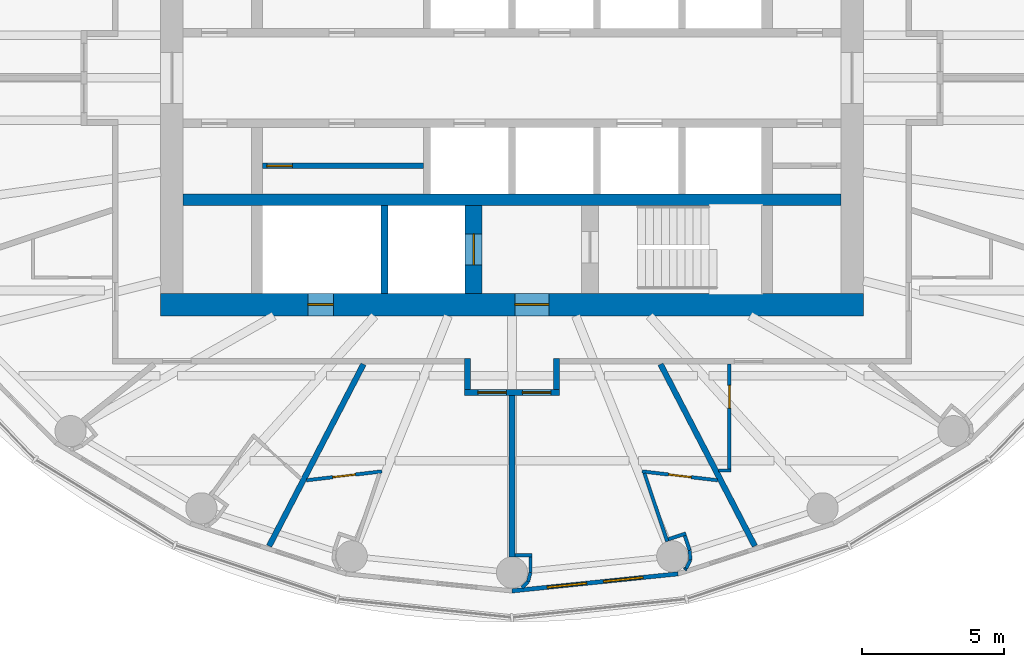
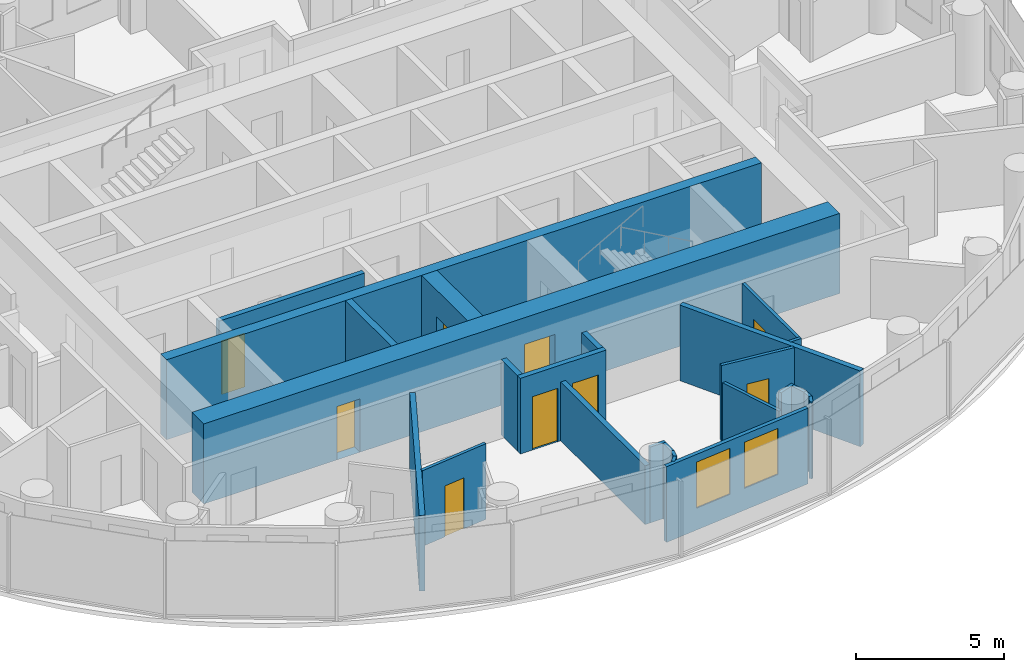
# One storey, part 7 of 16: 26 walls, 9 doors, 2 windows, 11 openings.
"""IFC4 building model written with IfcOpenShell, lengths in metres."""

from ifc_helpers import new_model, si_unit, direction, frame, frame_2d, origin, place, context, subcontext, project, spatial, rectangle, extrude, material, layer, layer_set, type_object, element, fill, save


model = new_model("IFC4")

# Units and contexts
model_context = context("Model", 3, precision=1e-05, world=origin(), true_north=direction((0.0, 1.0)))
body_context = subcontext(model_context, "Body", "Model", "MODEL_VIEW")
ifc_project = project(units=[si_unit("LENGTHUNIT", "METRE"), si_unit("AREAUNIT", "SQUARE_METRE"), si_unit("VOLUMEUNIT", "CUBIC_METRE"), si_unit("PLANEANGLEUNIT", "RADIAN"), si_unit("MASSUNIT", "GRAM", prefix="KILO")], contexts=[model_context])

# Site, building, storey
site_placement = place(None, origin())
site = spatial("IfcSite", under=ifc_project, at=site_placement, CompositionType="ELEMENT")
building_placement = place(site_placement, origin())
building = spatial("IfcBuilding", under=site, at=building_placement, Name="Hankou Lantern Tower", CompositionType="ELEMENT")
storey_placement = place(building_placement, frame((0.0, 0.0, 146.699951171875)))
storey = spatial("IfcBuildingStorey", under=building, at=storey_placement, Name="L38", CompositionType="ELEMENT", Elevation=146.699951171875)

# Wall, openings, doors
ifc_material_1 = material(Name="Concrete C60", Category="concrete")
ifc_layer_1 = layer(ifc_material_1, 0.800048828125)
ifc_layer_set_1 = layer_set([ifc_layer_1], Name="Concrete C60")
wall_type_1 = type_object("IfcWallType", Name="CW2 CORE WALL 800", PredefinedType="SHEAR", material=ifc_layer_set_1)
wall_1_placement = place(storey_placement, frame((12.39990234375, -8.0, 0.0), z_axis=(0.0, 0.0, 1.0), x_axis=(-1.0, 0.0, 0.0)))
wall_1 = element("IfcWall", 1, at=wall_1_placement, inside=storey, type_object=wall_type_1, Name="Core wall south L38", PredefinedType="SHEAR", context=body_context, shape_type="SweptSolid", body=[
    extrude(rectangle(XDim=24.7998046875, YDim=0.800048828125, at=frame_2d((12.39990234375, 0.0))), origin(), (0.0, 0.0, 1.0), 3.300048828125),
])
opening_1_placement = place(wall_1_placement, frame((11.10009765625, 0.0, 0.0)))
opening_1 = element("IfcOpeningElement", 2, at=opening_1_placement, cuts=wall_1, Name="Opening D5", PredefinedType="OPENING", context=body_context, shape_type="SweptSolid", body=[
    extrude(rectangle(XDim=1.199951171875, YDim=2.199951171875, at=frame_2d((0.60009765625, 1.10009765625))), frame((0.0, 0.409912109375, 0.0), z_axis=(0.0, -1.0, 0.0), x_axis=(1.0, 0.0, 0.0)), (0.0, 0.0, 1.0), 0.820068359375),
])
opening_2_placement = place(wall_1_placement, frame((18.699951171875, 0.0, 0.0)))
opening_2 = element("IfcOpeningElement", 3, at=opening_2_placement, cuts=wall_1, Name="Opening D7", PredefinedType="OPENING", context=body_context, shape_type="SweptSolid", body=[
    extrude(rectangle(XDim=0.89990234375, YDim=2.199951171875, at=frame_2d((0.449951171875, 1.10009765625))), frame((0.0, 0.409912109375, 0.0), z_axis=(0.0, -1.0, 0.0), x_axis=(1.0, 0.0, 0.0)), (0.0, 0.0, 1.0), 0.820068359375),
])
ifc_material_2 = material(Name="Steel door leaf", Category="steel")
door_type_1 = type_object("IfcDoorType", Name="D5 STAIR LOBBY DOOR 1200X2200", OperationType="SINGLE_SWING_LEFT", PredefinedType="DOOR", material=ifc_material_2)
door_1_placement = place(opening_1_placement, origin())
door_1 = element("IfcDoor", 4, at=door_1_placement, inside=storey, type_object=door_type_1, Name="Stair B lobby door", OperationType="SINGLE_SWING_LEFT", OverallHeight=2.199951171875, OverallWidth=1.199951171875, PredefinedType="DOOR", context=body_context, shape_type="SweptSolid", body=[
    extrude(rectangle(XDim=1.199951171875, YDim=2.199951171875, at=frame_2d((0.60009765625, 1.10009765625))), frame((0.0, 0.02490234375, 0.0), z_axis=(0.0, -1.0, 0.0), x_axis=(1.0, 0.0, 0.0)), (0.0, 0.0, 1.0), 0.050048828125),
])
fill(opening_1, door_1)
ifc_material_3 = material(Name="Steel door leaf", Category="steel")
door_type_2 = type_object("IfcDoorType", Name="D7 RISER DOOR 900X2200", OperationType="SINGLE_SWING_LEFT", PredefinedType="DOOR", material=ifc_material_3)
door_2_placement = place(opening_2_placement, origin())
door_2 = element("IfcDoor", 5, at=door_2_placement, inside=storey, type_object=door_type_2, Name="Riser S1 door", OperationType="SINGLE_SWING_RIGHT", OverallHeight=2.199951171875, OverallWidth=0.89990234375, PredefinedType="DOOR", context=body_context, shape_type="SweptSolid", body=[
    extrude(rectangle(XDim=0.89990234375, YDim=2.199951171875, at=frame_2d((0.449951171875, 1.10009765625))), frame((0.0, 0.02490234375, 0.0), z_axis=(0.0, -1.0, 0.0), x_axis=(1.0, 0.0, 0.0)), (0.0, 0.0, 1.0), 0.050048828125),
])
fill(opening_2, door_2)

# Wall
ifc_material_4 = material(Name="Concrete C60", Category="concrete")
ifc_layer_2 = layer(ifc_material_4, 0.39990234375)
ifc_layer_set_2 = layer_set([ifc_layer_2], Name="Concrete C60")
wall_type_2 = type_object("IfcWallType", Name="CW4 CORE CROSS WALL 400", PredefinedType="SHEAR", material=ifc_layer_set_2)
wall_2_placement = place(storey_placement, frame((-11.60009765625, -4.300048828125, 0.0), z_axis=(0.0, 0.0, 1.0), x_axis=(1.0, 0.0, 0.0)))
element("IfcWall", 6, at=wall_2_placement, inside=storey, type_object=wall_type_2, Name="Core band wall south L38", PredefinedType="SHEAR", context=body_context, shape_type="SweptSolid", body=[
    extrude(rectangle(XDim=23.2001953125, YDim=0.39990234375, at=frame_2d((11.60009765625, 0.0))), origin(), (0.0, 0.0, 1.0), 3.300048828125),
])

# Wall, opening, door
ifc_material_5 = material(Name="Concrete C60", Category="concrete")
ifc_layer_3 = layer(ifc_material_5, 0.60009765625)
ifc_layer_set_3 = layer_set([ifc_layer_3], Name="Concrete C60")
wall_type_3 = type_object("IfcWallType", Name="CW6 STAIR AND SHAFT WALL 600", PredefinedType="SHEAR", material=ifc_layer_set_3)
wall_3_placement = place(storey_placement, frame((-1.35009765625, -7.60009765625, 0.0), z_axis=(0.0, 0.0, 1.0), x_axis=(0.0, 1.0, 0.0)))
wall_3 = element("IfcWall", 7, at=wall_3_placement, inside=storey, type_object=wall_type_3, Name="Firefighting lift shaft wall L38", PredefinedType="SHEAR", context=body_context, shape_type="SweptSolid", body=[
    extrude(rectangle(XDim=3.10009765625, YDim=0.60009765625, at=frame_2d((1.550048828125, 0.0))), origin(), (0.0, 0.0, 1.0), 3.300048828125),
])
opening_3_placement = place(wall_3_placement, frame((1.0, 0.0, 0.0)))
opening_3 = element("IfcOpeningElement", 8, at=opening_3_placement, cuts=wall_3, Name="Opening LD2", PredefinedType="OPENING", context=body_context, shape_type="SweptSolid", body=[
    extrude(rectangle(XDim=1.10009765625, YDim=2.199951171875, at=frame_2d((0.550048828125, 1.10009765625))), frame((0.0, 0.31005859375, 0.0), z_axis=(0.0, -1.0, 0.0), x_axis=(1.0, 0.0, 0.0)), (0.0, 0.0, 1.0), 0.6201171875),
])
ifc_material_6 = material(Name="Steel door leaf", Category="steel")
door_type_3 = type_object("IfcDoorType", Name="LD2 FIREFIGHTING LIFT LANDING DOOR 1100X2200", OperationType="DOUBLE_DOOR_SLIDING", PredefinedType="DOOR", material=ifc_material_6)
door_3_placement = place(opening_3_placement, origin())
door_3 = element("IfcDoor", 9, at=door_3_placement, inside=storey, type_object=door_type_3, Name="Firefighting lift FL2 landing door", OperationType="DOUBLE_DOOR_SLIDING", OverallHeight=2.199951171875, OverallWidth=1.10009765625, PredefinedType="DOOR", context=body_context, shape_type="SweptSolid", body=[
    extrude(rectangle(XDim=1.10009765625, YDim=2.199951171875, at=frame_2d((0.550048828125, 1.10009765625))), frame((0.0, 0.02490234375, 0.0), z_axis=(0.0, -1.0, 0.0), x_axis=(1.0, 0.0, 0.0)), (0.0, 0.0, 1.0), 0.050048828125),
])
fill(opening_3, door_3)

# Wall, openings, windows
ifc_material_7 = material(Name="Aluminium spandrel panel on steel studs", Category="steel")
ifc_layer_4 = layer(ifc_material_7, 0.14990234375)
ifc_layer_set_4 = layer_set([ifc_layer_4], Name="Aluminium spandrel panel on steel studs")
wall_type_4 = type_object("IfcWallType", Name="EW1 INNER SKIN WALL 150", PredefinedType="ELEMENTEDWALL", material=ifc_layer_set_4)
wall_4_placement = place(storey_placement, frame((0.0, -18.10009765625, 0.0), z_axis=(0.0, 0.0, 1.0), x_axis=(0.994751738032, 0.102318032045, 0.0)))
wall_4 = element("IfcWall", 10, at=wall_4_placement, inside=storey, type_object=wall_type_4, Name="Inner skin R19-R20 L38", PredefinedType="ELEMENTEDWALL", context=body_context, shape_type="SweptSolid", body=[
    extrude(rectangle(XDim=5.891357421875, YDim=0.14990234375, at=frame_2d((2.94580078125, 0.0))), origin(), (0.0, 0.0, 1.0), 3.1201171875),
])
opening_4_placement = place(wall_4_placement, frame((1.24560546875, 0.0, 0.89990234375)))
opening_4 = element("IfcOpeningElement", 11, at=opening_4_placement, cuts=wall_4, Name="Opening W3", PredefinedType="OPENING", context=body_context, shape_type="SweptSolid", body=[
    extrude(rectangle(XDim=1.39990234375, YDim=1.89990234375, at=frame_2d((0.699951171875, 0.949951171875))), frame((0.0, 0.0849609375, 0.0), z_axis=(0.0, -1.0, 0.0), x_axis=(1.0, 0.0, 0.0)), (0.0, 0.0, 1.0), 0.169921875),
])
opening_5_placement = place(wall_4_placement, frame((3.24560546875, 0.0, 0.89990234375)))
opening_5 = element("IfcOpeningElement", 12, at=opening_5_placement, cuts=wall_4, Name="Opening W3", PredefinedType="OPENING", context=body_context, shape_type="SweptSolid", body=[
    extrude(rectangle(XDim=1.39990234375, YDim=1.89990234375, at=frame_2d((0.699951171875, 0.949951171875))), frame((0.0, 0.0849609375, 0.0), z_axis=(0.0, -1.0, 0.0), x_axis=(1.0, 0.0, 0.0)), (0.0, 0.0, 1.0), 0.169921875),
])
ifc_material_8 = material(Name="Aluminium framed double glazed window", Category="aluminium")
window_type = type_object("IfcWindowType", Name="W3 GUEST ROOM WINDOW 1400X1900", PartitioningType="DOUBLE_PANEL_VERTICAL", PredefinedType="WINDOW", material=ifc_material_8)
window_1_placement = place(opening_4_placement, origin())
window_1 = element("IfcWindow", 13, at=window_1_placement, inside=storey, type_object=window_type, Name="Window R19.1 L38", OverallHeight=1.89990234375, OverallWidth=1.39990234375, PartitioningType="SINGLE_PANEL", PredefinedType="WINDOW", context=body_context, shape_type="SweptSolid", body=[
    extrude(rectangle(XDim=1.39990234375, YDim=1.89990234375, at=frame_2d((0.699951171875, 0.949951171875))), frame((0.0, 0.030029296875, 0.0), z_axis=(0.0, -1.0, 0.0), x_axis=(1.0, 0.0, 0.0)), (0.0, 0.0, 1.0), 0.06005859375),
])
fill(opening_4, window_1)
window_2_placement = place(opening_5_placement, origin())
window_2 = element("IfcWindow", 14, at=window_2_placement, inside=storey, type_object=window_type, Name="Window R19.2 L38", OverallHeight=1.89990234375, OverallWidth=1.39990234375, PartitioningType="SINGLE_PANEL", PredefinedType="WINDOW", context=body_context, shape_type="SweptSolid", body=[
    extrude(rectangle(XDim=1.39990234375, YDim=1.89990234375, at=frame_2d((0.699951171875, 0.949951171875))), frame((0.0, 0.030029296875, 0.0), z_axis=(0.0, -1.0, 0.0), x_axis=(1.0, 0.0, 0.0)), (0.0, 0.0, 1.0), 0.06005859375),
])
fill(opening_5, window_2)

# Walls
ifc_material_9 = material(Name="Masonry lightweight concrete block", Category="masonry")
ifc_layer_5 = layer(ifc_material_9, 0.199951171875)
ifc_layer_set_5 = layer_set([ifc_layer_5], Name="Masonry lightweight concrete block")
wall_type_5 = type_object("IfcWallType", Name="IW1 GUEST ROOM PARTY WALL 200", PredefinedType="PARTITIONING", material=ifc_layer_set_5)
wall_5_placement = place(storey_placement, frame((-5.239990234375, -10.10009765625, 0.0), z_axis=(0.0, 0.0, 1.0), x_axis=(-0.460532965373, -0.887642601391, 0.0)))
element("IfcWall", 15, at=wall_5_placement, inside=storey, type_object=wall_type_5, Name="Party wall R17-R18", PredefinedType="PARTITIONING", context=body_context, shape_type="SweptSolid", body=[
    extrude(rectangle(XDim=7.2314453125, YDim=0.199951171875, at=frame_2d((3.61572265625, 0.0))), origin(), (0.0, 0.0, 1.0), 3.1201171875),
])
wall_6_placement = place(storey_placement, frame((0.0, -11.199951171875, 0.0), z_axis=(0.0, 0.0, 1.0), x_axis=(0.0, -1.0, 0.0)))
element("IfcWall", 16, at=wall_6_placement, inside=storey, type_object=wall_type_5, Name="Party wall R19", PredefinedType="PARTITIONING", context=body_context, shape_type="SweptSolid", body=[
    extrude(rectangle(XDim=5.699951171875, YDim=0.199951171875, at=frame_2d((2.85009765625, 0.0))), origin(), (0.0, 0.0, 1.0), 2.420166015625),
])
wall_7_placement = place(storey_placement, frame((5.239990234375, -10.10009765625, 0.0), z_axis=(0.0, 0.0, 1.0), x_axis=(0.460532965373, -0.887642601391, 0.0)))
element("IfcWall", 17, at=wall_7_placement, inside=storey, type_object=wall_type_5, Name="Party wall R20-R21", PredefinedType="PARTITIONING", context=body_context, shape_type="SweptSolid", body=[
    extrude(rectangle(XDim=7.2314453125, YDim=0.199951171875, at=frame_2d((3.61572265625, 0.0))), origin(), (0.0, 0.0, 1.0), 3.1201171875),
])

# Wall, openings, doors
ifc_material_10 = material(Name="Masonry lightweight concrete block", Category="masonry")
ifc_layer_6 = layer(ifc_material_10, 0.199951171875)
ifc_layer_set_6 = layer_set([ifc_layer_6], Name="Masonry lightweight concrete block")
wall_type_6 = type_object("IfcWallType", Name="IW2 CORRIDOR WALL 200", PredefinedType="PARTITIONING", material=ifc_layer_set_6)
wall_8_placement = place(storey_placement, frame((1.669921875, -11.10009765625, 0.0), z_axis=(0.0, 0.0, 1.0), x_axis=(-1.0, 0.0, 0.0)))
wall_8 = element("IfcWall", 18, at=wall_8_placement, inside=storey, type_object=wall_type_6, Name="Corridor alcove wall 3811-3812 back", PredefinedType="PARTITIONING", context=body_context, shape_type="SweptSolid", body=[
    extrude(rectangle(XDim=3.33984375, YDim=0.199951171875, at=frame_2d((1.669921875, 0.0))), origin(), (0.0, 0.0, 1.0), 3.1201171875),
])
opening_6_placement = place(wall_8_placement, frame((1.8701171875, 0.0, 0.0)))
opening_6 = element("IfcOpeningElement", 19, at=opening_6_placement, cuts=wall_8, Name="Opening D1", PredefinedType="OPENING", context=body_context, shape_type="SweptSolid", body=[
    extrude(rectangle(XDim=1.0, YDim=2.199951171875, at=frame_2d((0.5, 1.10009765625))), frame((0.0, 0.10986328125, 0.0), z_axis=(0.0, -1.0, 0.0), x_axis=(1.0, 0.0, 0.0)), (0.0, 0.0, 1.0), 0.219970703125),
])
opening_7_placement = place(wall_8_placement, frame((0.300048828125, 0.0, 0.0)))
opening_7 = element("IfcOpeningElement", 20, at=opening_7_placement, cuts=wall_8, Name="Opening D1", PredefinedType="OPENING", context=body_context, shape_type="SweptSolid", body=[
    extrude(rectangle(XDim=1.0, YDim=2.199951171875, at=frame_2d((0.5, 1.10009765625))), frame((0.0, 0.10986328125, 0.0), z_axis=(0.0, -1.0, 0.0), x_axis=(1.0, 0.0, 0.0)), (0.0, 0.0, 1.0), 0.219970703125),
])
ifc_material_11 = material(Name="Steel door leaf", Category="steel")
door_type_4 = type_object("IfcDoorType", Name="D1 GUEST ROOM DOOR 1000X2200", OperationType="SINGLE_SWING_LEFT", PredefinedType="DOOR", material=ifc_material_11)
door_4_placement = place(opening_6_placement, origin())
door_4 = element("IfcDoor", 21, at=door_4_placement, inside=storey, type_object=door_type_4, Name="Guest room door 3811", OperationType="SINGLE_SWING_LEFT", OverallHeight=2.199951171875, OverallWidth=1.0, PredefinedType="DOOR", context=body_context, shape_type="SweptSolid", body=[
    extrude(rectangle(XDim=1.0, YDim=2.199951171875, at=frame_2d((0.5, 1.10009765625))), frame((0.0, 0.02490234375, 0.0), z_axis=(0.0, -1.0, 0.0), x_axis=(1.0, 0.0, 0.0)), (0.0, 0.0, 1.0), 0.050048828125),
])
fill(opening_6, door_4)
door_5_placement = place(opening_7_placement, origin())
door_5 = element("IfcDoor", 22, at=door_5_placement, inside=storey, type_object=door_type_4, Name="Guest room door 3812", OperationType="SINGLE_SWING_RIGHT", OverallHeight=2.199951171875, OverallWidth=1.0, PredefinedType="DOOR", context=body_context, shape_type="SweptSolid", body=[
    extrude(rectangle(XDim=1.0, YDim=2.199951171875, at=frame_2d((0.5, 1.10009765625))), frame((0.0, 0.02490234375, 0.0), z_axis=(0.0, -1.0, 0.0), x_axis=(1.0, 0.0, 0.0)), (0.0, 0.0, 1.0), 0.050048828125),
])
fill(opening_7, door_5)

# Walls
for number, where, z_axis, x_axis, name in (
    (23, (1.570068359375, -9.89990234375, 0.0), (0.0, 0.0, 1.0), (0.0, -1.0, 0.0), "Corridor alcove wall 3811-3812 left"),
    (24, (-1.570068359375, -9.89990234375, 0.0), (0.0, 0.0, 1.0), (0.0, -1.0, 0.0), "Corridor alcove wall 3811-3812 right"),
):
    element("IfcWall", number, at=place(storey_placement, frame(where, z_axis=z_axis, x_axis=x_axis)), inside=storey, type_object=wall_type_6, Name=name, PredefinedType="PARTITIONING", context=body_context, shape_type="SweptSolid", body=[
        extrude(rectangle(XDim=1.10009765625, YDim=0.199951171875, at=frame_2d((0.550048828125, 0.0))), origin(), (0.0, 0.0, 1.0), 3.1201171875),
    ])

# Wall, opening, door
ifc_material_12 = material(Name="Masonry lightweight concrete block", Category="masonry")
ifc_layer_7 = layer(ifc_material_12, 0.1201171875)
ifc_layer_set_7 = layer_set([ifc_layer_7], Name="Masonry lightweight concrete block")
wall_type_7 = type_object("IfcWallType", Name="IW3 BATHROOM WALL 120", PredefinedType="PARTITIONING", material=ifc_layer_set_7)
wall_9_placement = place(storey_placement, frame((-7.2529296875, -14.197021484375, 0.0), z_axis=(0.0, 0.0, 1.0), x_axis=(0.993128188393, 0.117031625725, 0.0)))
wall_9 = element("IfcWall", 25, at=wall_9_placement, inside=storey, type_object=wall_type_7, Name="Box wall 3811 1", PredefinedType="PARTITIONING", context=body_context, shape_type="SweptSolid", body=[
    extrude(rectangle(XDim=2.678466796875, YDim=0.1201171875, at=frame_2d((1.33935546875, 0.0))), origin(), (0.0, 0.0, 1.0), 3.1201171875),
])
opening_8_placement = place(wall_9_placement, frame((0.939208984375, 0.0, 0.0)))
opening_8 = element("IfcOpeningElement", 26, at=opening_8_placement, cuts=wall_9, Name="Opening D3", PredefinedType="OPENING", context=body_context, shape_type="SweptSolid", body=[
    extrude(rectangle(XDim=0.800048828125, YDim=2.10009765625, at=frame_2d((0.39990234375, 1.050048828125))), frame((0.0, 0.070068359375, 0.0), z_axis=(0.0, -1.0, 0.0), x_axis=(1.0, 0.0, 0.0)), (0.0, 0.0, 1.0), 0.14013671875),
])
ifc_material_13 = material(Name="Timber door leaf", Category="wood")
door_type_5 = type_object("IfcDoorType", Name="D3 BATHROOM DOOR 800X2100", OperationType="SINGLE_SWING_LEFT", PredefinedType="DOOR", material=ifc_material_13)
door_6_placement = place(opening_8_placement, origin())
door_6 = element("IfcDoor", 27, at=door_6_placement, inside=storey, type_object=door_type_5, Name="En-suite bathroom 3811 door", OperationType="SINGLE_SWING_LEFT", OverallHeight=2.10009765625, OverallWidth=0.800048828125, PredefinedType="DOOR", context=body_context, shape_type="SweptSolid", body=[
    extrude(rectangle(XDim=0.800048828125, YDim=2.10009765625, at=frame_2d((0.39990234375, 1.050048828125))), frame((0.0, 0.02490234375, 0.0), z_axis=(0.0, -1.0, 0.0), x_axis=(1.0, 0.0, 0.0)), (0.0, 0.0, 1.0), 0.050048828125),
])
fill(opening_8, door_6)

wall_10_placement = place(storey_placement, frame((7.2529296875, -14.197021484375, 0.0), z_axis=(0.0, 0.0, 1.0), x_axis=(-0.993128188393, 0.117031625725, 0.0)))
wall_10 = element("IfcWall", 28, at=wall_10_placement, inside=storey, type_object=wall_type_7, Name="Box wall 3812 1", PredefinedType="PARTITIONING", context=body_context, shape_type="SweptSolid", body=[
    extrude(rectangle(XDim=2.678466796875, YDim=0.1201171875, at=frame_2d((1.33935546875, 0.0))), origin(), (0.0, 0.0, 1.0), 3.1201171875),
])
opening_9_placement = place(wall_10_placement, frame((0.939208984375, 0.0, 0.0)))
opening_9 = element("IfcOpeningElement", 29, at=opening_9_placement, cuts=wall_10, Name="Opening D3", PredefinedType="OPENING", context=body_context, shape_type="SweptSolid", body=[
    extrude(rectangle(XDim=0.800048828125, YDim=2.10009765625, at=frame_2d((0.39990234375, 1.050048828125))), frame((0.0, 0.070068359375, 0.0), z_axis=(0.0, -1.0, 0.0), x_axis=(1.0, 0.0, 0.0)), (0.0, 0.0, 1.0), 0.14013671875),
])
door_7_placement = place(opening_9_placement, origin())
door_7 = element("IfcDoor", 30, at=door_7_placement, inside=storey, type_object=door_type_5, Name="En-suite bathroom 3812 door", OperationType="SINGLE_SWING_RIGHT", OverallHeight=2.10009765625, OverallWidth=0.800048828125, PredefinedType="DOOR", context=body_context, shape_type="SweptSolid", body=[
    extrude(rectangle(XDim=0.800048828125, YDim=2.10009765625, at=frame_2d((0.39990234375, 1.050048828125))), frame((0.0, 0.02490234375, 0.0), z_axis=(0.0, -1.0, 0.0), x_axis=(1.0, 0.0, 0.0)), (0.0, 0.0, 1.0), 0.050048828125),
])
fill(opening_9, door_7)

# Walls
wall_11_placement = place(storey_placement, frame((4.67138671875, -13.947509765625, 0.0), z_axis=(0.0, 0.0, 1.0), x_axis=(0.317669167093, -0.948201613729, 0.0)))
element("IfcWall", 31, at=wall_11_placement, inside=storey, type_object=wall_type_7, Name="Box wall 3812 2", PredefinedType="PARTITIONING", context=body_context, shape_type="SweptSolid", body=[
    extrude(rectangle(XDim=2.5400390625, YDim=0.1201171875, at=frame_2d((1.27001953125, 0.0))), origin(), (0.0, 0.0, 1.0), 2.420166015625),
])
wall_12_placement = place(storey_placement, frame((5.51611328125, -16.280029296875, 0.0), z_axis=(0.0, 0.0, 1.0), x_axis=(0.948157944392, 0.317799484717, 0.0)))
element("IfcWall", 32, at=wall_12_placement, inside=storey, type_object=wall_type_7, Name="Column casing 3812 return", PredefinedType="PARTITIONING", context=body_context, shape_type="SweptSolid", body=[
    extrude(rectangle(XDim=0.652099609375, YDim=0.1201171875, at=frame_2d((0.326171875, 0.0))), origin(), (0.0, 0.0, 1.0), 3.1201171875),
])
wall_13_placement = place(storey_placement, frame((6.0966796875, -16.148681640625, 0.0), z_axis=(0.0, 0.0, 1.0), x_axis=(0.317292604854, -0.948327687514, 0.0)))
element("IfcWall", 33, at=wall_13_placement, inside=storey, type_object=wall_type_7, Name="Column casing 3812", PredefinedType="PARTITIONING", context=body_context, shape_type="SweptSolid", body=[
    extrude(rectangle(XDim=0.550048828125, YDim=0.1201171875, at=frame_2d((0.27490234375, 0.0))), origin(), (0.0, 0.0, 1.0), 3.1201171875),
])
for number, where, z_axis, x_axis, name in (
    (34, (6.271240234375, -16.67041015625, 0.0), (0.0, 0.0, 1.0), (0.061477694849, -0.998108457552, 0.0), "Column casing 3812"),
    (35, (6.2919921875, -17.00732421875, 0.0), (0.0, 0.0, 1.0), (-0.445477128334, -0.895293319606, 0.0), "Column casing 3812"),
):
    element("IfcWall", number, at=place(storey_placement, frame(where, z_axis=z_axis, x_axis=x_axis)), inside=storey, type_object=wall_type_7, Name=name, PredefinedType="PARTITIONING", context=body_context, shape_type="SweptSolid", body=[
        extrude(rectangle(XDim=0.337646484375, YDim=0.1201171875, at=frame_2d((0.1689453125, 0.0))), origin(), (0.0, 0.0, 1.0), 3.1201171875),
    ])
wall_14_placement = place(storey_placement, frame((6.1416015625, -17.3095703125, 0.0), z_axis=(0.0, 0.0, 1.0), x_axis=(-0.835039693181, -0.550189704386, 0.0)))
element("IfcWall", 36, at=wall_14_placement, inside=storey, type_object=wall_type_7, Name="Column casing 3812", PredefinedType="PARTITIONING", context=body_context, shape_type="SweptSolid", body=[
    extrude(rectangle(XDim=0.0625, YDim=0.1201171875, at=frame_2d((0.03125, 0.0))), origin(), (0.0, 0.0, 1.0), 3.1201171875),
])
wall_15_placement = place(storey_placement, frame((7.28564453125, -13.85009765625, 0.0), z_axis=(0.0, 0.0, 1.0), x_axis=(1.0, 0.0, 0.0)))
element("IfcWall", 37, at=wall_15_placement, inside=storey, type_object=wall_type_7, Name="Box wall 3813 1", PredefinedType="PARTITIONING", context=body_context, shape_type="SweptSolid", body=[
    extrude(rectangle(XDim=0.4443359375, YDim=0.1201171875, at=frame_2d((0.22216796875, 0.0))), origin(), (0.0, 0.0, 1.0), 3.1201171875),
])

# Wall, opening, door
wall_16_placement = place(storey_placement, frame((7.670166015625, -10.10009765625, 0.0), z_axis=(0.0, 0.0, 1.0), x_axis=(0.0, -1.0, 0.0)))
wall_16 = element("IfcWall", 38, at=wall_16_placement, inside=storey, type_object=wall_type_7, Name="Box wall 3813 1", PredefinedType="PARTITIONING", context=body_context, shape_type="SweptSolid", body=[
    extrude(rectangle(XDim=3.68994140625, YDim=0.1201171875, at=frame_2d((1.844970703125, 0.0))), origin(), (0.0, 0.0, 1.0), 3.1201171875),
])
opening_10_placement = place(wall_16_placement, frame((0.75, 0.0, 0.0)))
opening_10 = element("IfcOpeningElement", 39, at=opening_10_placement, cuts=wall_16, Name="Opening D3", PredefinedType="OPENING", context=body_context, shape_type="SweptSolid", body=[
    extrude(rectangle(XDim=0.800048828125, YDim=2.10009765625, at=frame_2d((0.39990234375, 1.050048828125))), frame((0.0, 0.070068359375, 0.0), z_axis=(0.0, -1.0, 0.0), x_axis=(1.0, 0.0, 0.0)), (0.0, 0.0, 1.0), 0.14013671875),
])
door_8_placement = place(opening_10_placement, origin())
door_8 = element("IfcDoor", 40, at=door_8_placement, inside=storey, type_object=door_type_5, Name="En-suite bathroom 3813 door", OperationType="SINGLE_SWING_LEFT", OverallHeight=2.10009765625, OverallWidth=0.800048828125, PredefinedType="DOOR", context=body_context, shape_type="SweptSolid", body=[
    extrude(rectangle(XDim=0.800048828125, YDim=2.10009765625, at=frame_2d((0.39990234375, 1.050048828125))), frame((0.0, 0.02490234375, 0.0), z_axis=(0.0, -1.0, 0.0), x_axis=(1.0, 0.0, 0.0)), (0.0, 0.0, 1.0), 0.050048828125),
])
fill(opening_10, door_8)

# Walls
ifc_material_14 = material(Name="Masonry lightweight concrete block", Category="masonry")
ifc_layer_8 = layer(ifc_material_14, 0.1201171875)
ifc_layer_set_8 = layer_set([ifc_layer_8], Name="Masonry lightweight concrete block")
wall_type_8 = type_object("IfcWallType", Name="IW4 PARTITION 120", PredefinedType="PARTITIONING", material=ifc_layer_set_8)
wall_17_placement = place(storey_placement, frame((0.10009765625, -16.840087890625, 0.0), z_axis=(0.0, 0.0, 1.0), x_axis=(1.0, 0.0, 0.0)))
element("IfcWall", 41, at=wall_17_placement, inside=storey, type_object=wall_type_8, Name="Column casing R19 return", PredefinedType="PARTITIONING", context=body_context, shape_type="SweptSolid", body=[
    extrude(rectangle(XDim=0.612060546875, YDim=0.1201171875, at=frame_2d((0.30615234375, 0.0))), origin(), (0.0, 0.0, 1.0), 3.1201171875),
])
wall_18_placement = place(storey_placement, frame((0.65234375, -16.89990234375, 0.0), z_axis=(0.0, 0.0, 1.0), x_axis=(0.0, -1.0, 0.0)))
element("IfcWall", 42, at=wall_18_placement, inside=storey, type_object=wall_type_8, Name="Column casing R19", PredefinedType="PARTITIONING", context=body_context, shape_type="SweptSolid", body=[
    extrude(rectangle(XDim=0.550048828125, YDim=0.1201171875, at=frame_2d((0.27490234375, 0.0))), origin(), (0.0, 0.0, 1.0), 3.1201171875),
])
wall_19_placement = place(storey_placement, frame((0.65234375, -17.449951171875, 0.0), z_axis=(0.0, 0.0, 1.0), x_axis=(-0.258832454679, -0.965922233104, 0.0)))
element("IfcWall", 43, at=wall_19_placement, inside=storey, type_object=wall_type_8, Name="Column casing R19", PredefinedType="PARTITIONING", context=body_context, shape_type="SweptSolid", body=[
    extrude(rectangle(XDim=0.337646484375, YDim=0.1201171875, at=frame_2d((0.1689453125, 0.0))), origin(), (0.0, 0.0, 1.0), 3.1201171875),
])
wall_20_placement = place(storey_placement, frame((0.56494140625, -17.776123046875, 0.0), z_axis=(0.0, 0.0, 1.0), x_axis=(-0.707106781187, -0.707106781187, 0.0)))
element("IfcWall", 44, at=wall_20_placement, inside=storey, type_object=wall_type_8, Name="Column casing R19", PredefinedType="PARTITIONING", context=body_context, shape_type="SweptSolid", body=[
    extrude(rectangle(XDim=0.30078125, YDim=0.1201171875, at=frame_2d((0.150390625, 0.0))), origin(), (0.0, 0.0, 1.0), 3.1201171875),
])

# Wall, opening, door
ifc_material_15 = material(Name="Masonry lightweight concrete block", Category="masonry")
ifc_layer_9 = layer(ifc_material_15, 0.199951171875)
ifc_layer_set_9 = layer_set([ifc_layer_9], Name="Masonry lightweight concrete block")
wall_type_9 = type_object("IfcWallType", Name="IW8 PARTITION 200", PredefinedType="PARTITIONING", material=ifc_layer_set_9)
wall_21_placement = place(storey_placement, frame((-8.800048828125, -3.10009765625, 0.0), z_axis=(0.0, 0.0, 1.0), x_axis=(1.0, 0.0, 0.0)))
wall_21 = element("IfcWall", 45, at=wall_21_placement, inside=storey, type_object=wall_type_9, Name="Partition engineering store", PredefinedType="PARTITIONING", context=body_context, shape_type="SweptSolid", body=[
    extrude(rectangle(XDim=5.675048828125, YDim=0.199951171875, at=frame_2d((2.83740234375, 0.0))), origin(), (0.0, 0.0, 1.0), 3.1201171875),
])
opening_11_placement = place(wall_21_placement, frame((0.14990234375, 0.0, 0.0)))
opening_11 = element("IfcOpeningElement", 46, at=opening_11_placement, cuts=wall_21, Name="Opening D12", PredefinedType="OPENING", context=body_context, shape_type="SweptSolid", body=[
    extrude(rectangle(XDim=0.89990234375, YDim=2.199951171875, at=frame_2d((0.449951171875, 1.10009765625))), frame((0.0, 0.10986328125, 0.0), z_axis=(0.0, -1.0, 0.0), x_axis=(1.0, 0.0, 0.0)), (0.0, 0.0, 1.0), 0.219970703125),
])
ifc_material_16 = material(Name="Steel door leaf", Category="steel")
door_type_6 = type_object("IfcDoorType", Name="D12 STORE DOOR 900X2200", OperationType="SINGLE_SWING_LEFT", PredefinedType="DOOR", material=ifc_material_16)
door_9_placement = place(opening_11_placement, origin())
door_9 = element("IfcDoor", 47, at=door_9_placement, inside=storey, type_object=door_type_6, Name="Electrical cupboard door", OperationType="SINGLE_SWING_LEFT", OverallHeight=2.199951171875, OverallWidth=0.89990234375, PredefinedType="DOOR", context=body_context, shape_type="SweptSolid", body=[
    extrude(rectangle(XDim=0.89990234375, YDim=2.199951171875, at=frame_2d((0.449951171875, 1.10009765625))), frame((0.0, 0.02490234375, 0.0), z_axis=(0.0, -1.0, 0.0), x_axis=(1.0, 0.0, 0.0)), (0.0, 0.0, 1.0), 0.050048828125),
])
fill(opening_11, door_9)

# Wall
ifc_material_17 = material(Name="Masonry autoclaved aerated concrete block", Category="masonry")
ifc_layer_10 = layer(ifc_material_17, 0.25)
ifc_layer_set_10 = layer_set([ifc_layer_10], Name="Masonry autoclaved aerated concrete block")
wall_type_10 = type_object("IfcWallType", Name="SW1 SHAFT BLOCK WALL 250", PredefinedType="PARTITIONING", material=ifc_layer_set_10)
wall_22_placement = place(storey_placement, frame((-4.5, -7.60009765625, 0.0), z_axis=(0.0, 0.0, 1.0), x_axis=(0.0, 1.0, 0.0)))
element("IfcWall", 48, at=wall_22_placement, inside=storey, type_object=wall_type_10, Name="Riser wall L38", PredefinedType="PARTITIONING", context=body_context, shape_type="SweptSolid", body=[
    extrude(rectangle(XDim=3.10009765625, YDim=0.25, at=frame_2d((1.550048828125, 0.0))), origin(), (0.0, 0.0, 1.0), 3.300048828125),
])

save(model, "model.ifc")
